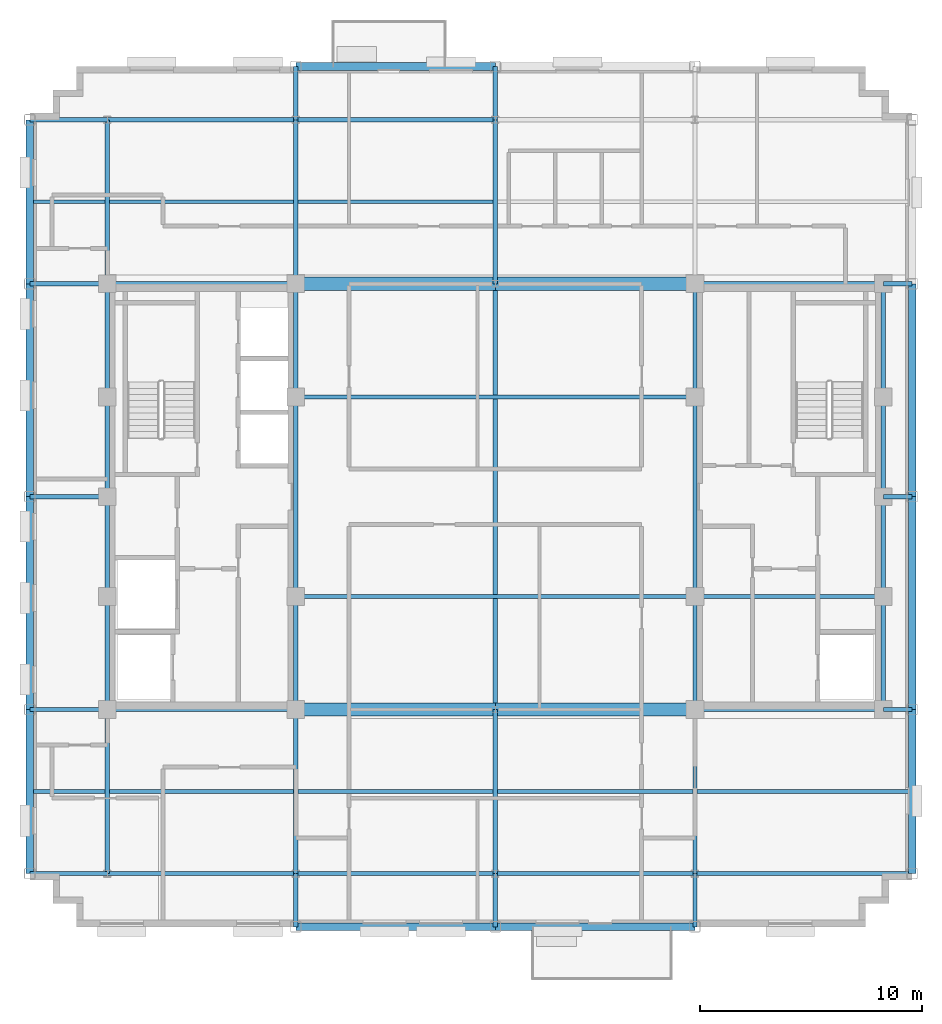
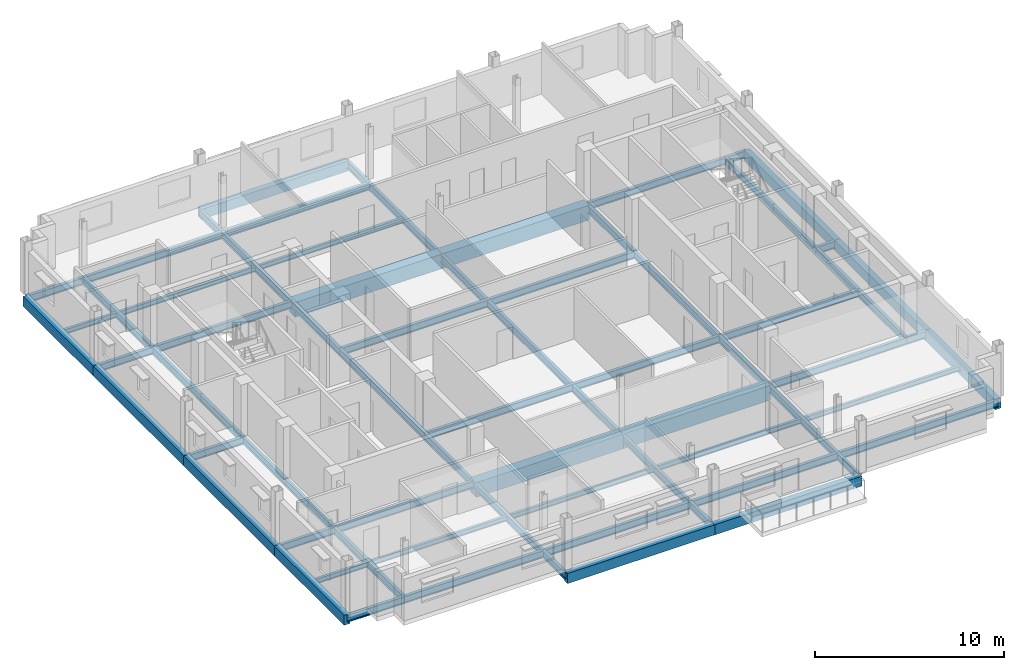
# One storey, part 4 of 13: 70 beams.
"""IFC4 building model written with IfcOpenShell, lengths in metres."""

import ifcopenshell
import ifcopenshell.guid

model = None  # the IFC model being written
_history = None  # IfcOwnerHistory: only IFC2X3 demands one
_inside = {}  # id of a spatial element -> (the spatial element, [elements in it])
_under = {}  # id of a project, library or spatial element -> (it, [spatial elements below it])
_declared = {}  # id of a project -> (the project, [libraries it declares])
_typed = {}  # id of a type object -> (the type object, [elements of that type])
_made_of = {}  # id of a material, layer set ... -> (it, [elements and type objects made of it])


def new_model(schema):
    """Start an empty IFC model of exactly this schema.

    Asked for "IFC4X3", IfcOpenShell would pick the latest addendum, in which some entities
    have other attributes; the version numbers below select the first issue.
    IFC2X3 requires an IfcOwnerHistory on every rooted entity: one is made here for all.
    """
    global model, _history
    if schema == "IFC4X3":
        model = ifcopenshell.file(schema_version=(4, 3, 0, 0))
    else:
        model = ifcopenshell.file(schema=schema)
    _inside.clear()
    _under.clear()
    _declared.clear()
    _typed.clear()
    _made_of.clear()
    _history = None
    if model.schema == "IFC2X3":
        org = make("IfcOrganization", Name="unknown")
        user = make(
            "IfcPersonAndOrganization",
            ThePerson=make("IfcPerson", FamilyName="unknown"),
            TheOrganization=org,
        )
        app = make(
            "IfcApplication",
            ApplicationDeveloper=org,
            Version="unknown",
            ApplicationFullName="unknown",
            ApplicationIdentifier="unknown",
        )
        _history = make(
            "IfcOwnerHistory",
            OwningUser=user,
            OwningApplication=app,
            ChangeAction="ADDED",
            CreationDate=0,
        )
    return model


def make(cls, **values):
    """One entity of the class cls with the attributes given. An attribute that is None is left unset."""
    return model.create_entity(
        cls, **{name: value for name, value in values.items() if value is not None}
    )


def rooted(cls, **values):
    """An entity with a GlobalId (a new one), such as an element, a storey or a relation."""
    return make(cls, GlobalId=ifcopenshell.guid.new(), OwnerHistory=_history, **values)


def si_unit(unit_type, name, prefix=None):
    """IfcSIUnit, for example si_unit("LENGTHUNIT", "METRE", prefix="MILLI")."""
    return make("IfcSIUnit", UnitType=unit_type, Prefix=prefix, Name=name)


def assignment(units):
    """IfcUnitAssignment: the units of a project."""
    return None if units is None else make("IfcUnitAssignment", Units=units)


def point(xyz):
    """IfcCartesianPoint."""
    return None if xyz is None else make("IfcCartesianPoint", Coordinates=xyz)


def direction(xyz):
    """IfcDirection."""
    return None if xyz is None else make("IfcDirection", DirectionRatios=xyz)


def frame(location, z_axis=None, x_axis=None):
    """IfcAxis2Placement3D, a coordinate frame: its origin and axes. An axis left out is left unset."""
    return make(
        "IfcAxis2Placement3D",
        Location=point(location),
        Axis=direction(z_axis),
        RefDirection=direction(x_axis),
    )


def frame_2d(location, x_axis=None):
    """IfcAxis2Placement2D, a coordinate frame in the plane: its origin and x axis."""
    return make(
        "IfcAxis2Placement2D", Location=point(location), RefDirection=direction(x_axis)
    )


def origin():
    """The frame at (0, 0, 0) with its axes left unset."""
    return frame((0.0, 0.0, 0.0))


def origin_2d():
    """The frame at (0, 0) in the plane with its x axis left unset."""
    return frame_2d((0.0, 0.0))


def place(relative_to, where):
    """IfcLocalPlacement: puts the frame where relative to a parent placement (None: the world)."""
    return make(
        "IfcLocalPlacement", PlacementRelTo=relative_to, RelativePlacement=where
    )


def context(
    kind, dimensions, precision=None, world=None, true_north=None, identifier=None
):
    """IfcGeometricRepresentationContext, for example the 3D "Model" context."""
    return make(
        "IfcGeometricRepresentationContext",
        ContextIdentifier=identifier,
        ContextType=kind,
        CoordinateSpaceDimension=dimensions,
        Precision=precision,
        WorldCoordinateSystem=world,
        TrueNorth=true_north,
    )


def subcontext(parent, identifier, kind, view, scale=None):
    """IfcGeometricRepresentationSubContext, for example "Body" below "Model"."""
    return make(
        "IfcGeometricRepresentationSubContext",
        ContextIdentifier=identifier,
        ContextType=kind,
        ParentContext=parent,
        TargetScale=scale,
        TargetView=view,
    )


def project(units=None, contexts=None):
    """IfcProject with its units and contexts."""
    return rooted(
        "IfcProject",
        Name="project",
        RepresentationContexts=contexts,
        UnitsInContext=assignment(units),
    )


def spatial(cls, under=None, at=None, **own):
    """A site, building, storey or space (cls), placed at a placement, below another one or the project."""
    s = rooted(cls, ObjectPlacement=at, **own)
    if under is not None:
        _under.setdefault(under.id(), (under, []))[1].append(s)
    return s


def profile(cls, at=None, kind="AREA", **sizes):
    """A parametric profile (cls). Its sizes go by their IFC names, for example OverallWidth=200.0."""
    return make(cls, ProfileType=kind, Position=at, **sizes)


def rectangle(**sizes):
    """IfcRectangleProfileDef."""
    return profile("IfcRectangleProfileDef", **sizes)


def i_section(**sizes):
    """IfcIShapeProfileDef."""
    return profile("IfcIShapeProfileDef", **sizes)


def extrude(swept, where, along, depth):
    """IfcExtrudedAreaSolid: the profile swept, set in the frame where, extruded along a direction by depth."""
    return make(
        "IfcExtrudedAreaSolid",
        SweptArea=swept,
        Position=where,
        ExtrudedDirection=direction(along),
        Depth=depth,
    )


def shape(context_of_items, identifier, shape_type, items):
    """IfcShapeRepresentation: the items that make up one representation, for example the "Body"."""
    return make(
        "IfcShapeRepresentation",
        ContextOfItems=context_of_items,
        RepresentationIdentifier=identifier,
        RepresentationType=shape_type,
        Items=items,
    )


def material(Name=None, Category=None):
    """IfcMaterial."""
    return make("IfcMaterial", Name=Name, Category=Category)


def material_profile(
    of_material, cross_section, Name=None, Category=None, Priority=None
):
    """IfcMaterialProfile: a cross section and its material."""
    return make(
        "IfcMaterialProfile",
        Name=Name,
        Material=of_material,
        Profile=cross_section,
        Priority=Priority,
        Category=Category,
    )


def profile_set(profiles, Name=None, composite=None):
    """IfcMaterialProfileSet."""
    return make(
        "IfcMaterialProfileSet",
        Name=Name,
        MaterialProfiles=profiles,
        CompositeProfile=composite,
    )


def made_of(thing, what):
    """Note that an element or type object is made of a material, layer set ...; save() writes the relation."""
    if what is not None:
        _made_of.setdefault(what.id(), (what, []))[1].append(thing)
    return thing


def type_object(cls, material=None, **own):
    """A type object (cls), such as IfcWallType, which elements share."""
    return made_of(rooted(cls, **own), material)


def element(
    cls,
    number,
    at=None,
    inside=None,
    cuts=None,
    type_object=None,
    material=None,
    context=None,
    identifier="Body",
    shape_type=None,
    held_by="IfcProductDefinitionShape",
    body=None,
    shapes=None,
    **own,
):
    """One element of the class cls, such as IfcWall. Its Tag is "e" and its number.

    at: its placement. inside: the storey or other place that contains it. cuts: it is an
    opening in that element (IfcRelVoidsElement). A single representation is given by context,
    identifier, shape_type and body (its items); several are given by shapes. held_by: the class
    of the entity that holds the representations. save() writes the other relations.
    """
    e = rooted(cls, Tag="e%d" % number, ObjectPlacement=at, **own)
    if body is not None:
        shapes = [shape(context, identifier, shape_type, body)]
    if shapes is not None:
        e.Representation = make(held_by, Representations=shapes)
    if inside is not None:
        _inside.setdefault(inside.id(), (inside, []))[1].append(e)
    if cuts is not None:
        rooted(
            "IfcRelVoidsElement", RelatingBuildingElement=cuts, RelatedOpeningElement=e
        )
    if type_object is not None:
        _typed.setdefault(type_object.id(), (type_object, []))[1].append(e)
    return made_of(e, material)


def aggregate(whole, parts):
    """IfcRelAggregates: a whole, such as a stair, and the parts it consists of."""
    return rooted("IfcRelAggregates", RelatingObject=whole, RelatedObjects=parts)


def save(model, path):
    """Write the relations noted so far, then the file.

    IfcRelAggregates (storeys below a building ...), IfcRelContainedInSpatialStructure (elements
    in a storey), IfcRelDefinesByType, IfcRelAssociatesMaterial and IfcRelDeclares: one each for
    every whole, place, type object, material and project.
    """
    for whole, parts in _under.values():
        aggregate(whole, parts)
    for where, things in _inside.values():
        rooted(
            "IfcRelContainedInSpatialStructure",
            RelatedElements=things,
            RelatingStructure=where,
        )
    for kind, things in _typed.values():
        rooted("IfcRelDefinesByType", RelatedObjects=things, RelatingType=kind)
    for what, things in _made_of.values():
        rooted("IfcRelAssociatesMaterial", RelatedObjects=things, RelatingMaterial=what)
    for by, libraries in _declared.values():
        rooted("IfcRelDeclares", RelatingContext=by, RelatedDefinitions=libraries)
    model.write(path)


model = new_model("IFC4")

# Units and contexts
model_context = context("Model", 3, precision=1e-05, world=origin(), true_north=direction((0.0, 1.0)))
body_context = subcontext(model_context, "Body", "Model", "MODEL_VIEW")
ifc_project = project(units=[si_unit("LENGTHUNIT", "METRE"), si_unit("AREAUNIT", "SQUARE_METRE"), si_unit("VOLUMEUNIT", "CUBIC_METRE"), si_unit("PLANEANGLEUNIT", "RADIAN"), si_unit("MASSUNIT", "GRAM", prefix="KILO")], contexts=[model_context])

# Site, building, storey
site_placement = place(None, origin())
site = spatial("IfcSite", under=ifc_project, at=site_placement, CompositionType="ELEMENT")
building_placement = place(site_placement, origin())
building = spatial("IfcBuilding", under=site, at=building_placement, Name="Nuvemarco Arch Tower", CompositionType="ELEMENT")
storey_placement = place(building_placement, frame((0.0, 0.0, 279.85009765625)))
storey = spatial("IfcBuildingStorey", under=building, at=storey_placement, Name="L74", CompositionType="ELEMENT", Elevation=279.85009765625)

# Beams
ifc_material_1 = material(Name="Concrete C60/75", Category="concrete")
ifc_material_profile_1 = material_profile(ifc_material_1, rectangle(XDim=0.60009765625, YDim=0.949951171875, at=origin_2d()), Name="RC-BM-600x950")
ifc_profile_set_1 = profile_set([ifc_material_profile_1], Name="Concrete C60/75")
beam_type_1 = type_object("IfcBeamType", Name="BM-COUP-RC", PredefinedType="LINTEL", material=ifc_profile_set_1)
for number, where, z_axis, x_axis, name in (
    (1, (-9.0, -9.60009765625, -0.755126953125), (1.0, 0.0, 0.0), (0.0, 1.0, 0.0), "L74 structural beam BGEW_L74_0_-9.6_-9.0"),
    (2, (0.0, -9.60009765625, -0.755126953125), (1.0, 0.0, 0.0), (0.0, 1.0, 0.0), "L74 structural beam BGEW_L74_0_-9.6_+0.0"),
    (3, (-9.0, 9.60009765625, -0.755126953125), (1.0, 0.0, 0.0), (0.0, 1.0, 0.0), "L74 structural beam BGEW_L74_0_+9.6_-9.0"),
    (4, (0.0, 9.60009765625, -0.755126953125), (1.0, 0.0, 0.0), (0.0, 1.0, 0.0), "L74 structural beam BGEW_L74_0_+9.6_+0.0"),
):
    element("IfcBeam", number, at=place(storey_placement, frame(where, z_axis=z_axis, x_axis=x_axis)), inside=storey, type_object=beam_type_1, Name=name, PredefinedType="LINTEL", context=body_context, shape_type="SweptSolid", body=[
        extrude(rectangle(XDim=0.60009765625, YDim=0.949951171875, at=origin_2d()), origin(), (0.0, 0.0, 1.0), 9.0),
    ])
ifc_material_2 = material(Name="Steel S355", Category="steel")
ifc_material_profile_2 = material_profile(ifc_material_2, i_section(OverallWidth=0.19189453125, OverallDepth=0.462890625, WebThickness=0.010498046875, FlangeThickness=0.017578125, FilletRadius=0.014892578125, at=origin_2d()), Name="W460x89")
ifc_profile_set_2 = profile_set([ifc_material_profile_2], Name="Steel S355")
beam_type_2 = type_object("IfcBeamType", Name="BM-GIRD-460", PredefinedType="BEAM", material=ifc_profile_set_2)
beam_1_placement = place(storey_placement, frame((-17.5, -17.0, -0.51171875), z_axis=(0.0, 1.0, 0.0), x_axis=(-1.0, 0.0, 0.0)))
element("IfcBeam", 5, at=beam_1_placement, inside=storey, type_object=beam_type_2, Name="L74 structural beam BGNS_L74_0_-17.5_-17.0", PredefinedType="BEAM", context=body_context, shape_type="SweptSolid", body=[
    extrude(i_section(OverallWidth=0.19189453125, OverallDepth=0.462890625, WebThickness=0.010498046875, FlangeThickness=0.017578125, FilletRadius=0.014892578125, at=origin_2d()), origin(), (0.0, 0.0, 1.0), 7.39990234375),
])
beam_2_placement = place(storey_placement, frame((-17.5, -9.60009765625, -0.51171875), z_axis=(0.0, 1.0, 0.0), x_axis=(-1.0, 0.0, 0.0)))
element("IfcBeam", 6, at=beam_2_placement, inside=storey, type_object=beam_type_2, Name="L74 structural beam BGNS_L74_0_-17.5_-9.6", PredefinedType="BEAM", context=body_context, shape_type="SweptSolid", body=[
    extrude(i_section(OverallWidth=0.19189453125, OverallDepth=0.462890625, WebThickness=0.010498046875, FlangeThickness=0.017578125, FilletRadius=0.014892578125, at=origin_2d()), origin(), (0.0, 0.0, 1.0), 5.10009765625),
])
for number, where, z_axis, x_axis, name in (
    (7, (-17.5, -4.5, -0.51171875), (0.0, 1.0, 0.0), (-1.0, 0.0, 0.0), "L74 structural beam BGNS_L74_0_-17.5_-4.5"),
    (8, (-17.5, 0.0, -0.51171875), (0.0, 1.0, 0.0), (-1.0, 0.0, 0.0), "L74 structural beam BGNS_L74_0_-17.5_+0.0"),
):
    element("IfcBeam", number, at=place(storey_placement, frame(where, z_axis=z_axis, x_axis=x_axis)), inside=storey, type_object=beam_type_2, Name=name, PredefinedType="BEAM", context=body_context, shape_type="SweptSolid", body=[
        extrude(i_section(OverallWidth=0.19189453125, OverallDepth=0.462890625, WebThickness=0.010498046875, FlangeThickness=0.017578125, FilletRadius=0.014892578125, at=origin_2d()), origin(), (0.0, 0.0, 1.0), 4.5),
    ])
beam_3_placement = place(storey_placement, frame((-17.5, 4.5, -0.51171875), z_axis=(0.0, 1.0, 0.0), x_axis=(-1.0, 0.0, 0.0)))
element("IfcBeam", 9, at=beam_3_placement, inside=storey, type_object=beam_type_2, Name="L74 structural beam BGNS_L74_0_-17.5_+4.5", PredefinedType="BEAM", context=body_context, shape_type="SweptSolid", body=[
    extrude(i_section(OverallWidth=0.19189453125, OverallDepth=0.462890625, WebThickness=0.010498046875, FlangeThickness=0.017578125, FilletRadius=0.014892578125, at=origin_2d()), origin(), (0.0, 0.0, 1.0), 5.10009765625),
])
beam_4_placement = place(storey_placement, frame((-17.5, 9.60009765625, -0.51171875), z_axis=(0.0, 1.0, 0.0), x_axis=(-1.0, 0.0, 0.0)))
element("IfcBeam", 10, at=beam_4_placement, inside=storey, type_object=beam_type_2, Name="L74 structural beam BGNS_L74_0_-17.5_+9.6", PredefinedType="BEAM", context=body_context, shape_type="SweptSolid", body=[
    extrude(i_section(OverallWidth=0.19189453125, OverallDepth=0.462890625, WebThickness=0.010498046875, FlangeThickness=0.017578125, FilletRadius=0.014892578125, at=origin_2d()), origin(), (0.0, 0.0, 1.0), 7.39990234375),
])
beam_5_placement = place(storey_placement, frame((-9.0, -19.39990234375, -0.51171875), z_axis=(0.0, 1.0, 0.0), x_axis=(-1.0, 0.0, 0.0)))
element("IfcBeam", 11, at=beam_5_placement, inside=storey, type_object=beam_type_2, Name="L74 structural beam BGNS_L74_0_-9.0_-19.4", PredefinedType="BEAM", context=body_context, shape_type="SweptSolid", body=[
    extrude(i_section(OverallWidth=0.19189453125, OverallDepth=0.462890625, WebThickness=0.010498046875, FlangeThickness=0.017578125, FilletRadius=0.014892578125, at=origin_2d()), origin(), (0.0, 0.0, 1.0), 2.39990234375),
])
beam_6_placement = place(storey_placement, frame((-9.0, -17.0, -0.51171875), z_axis=(0.0, 1.0, 0.0), x_axis=(-1.0, 0.0, 0.0)))
element("IfcBeam", 12, at=beam_6_placement, inside=storey, type_object=beam_type_2, Name="L74 structural beam BGNS_L74_0_-9.0_-17.0", PredefinedType="BEAM", context=body_context, shape_type="SweptSolid", body=[
    extrude(i_section(OverallWidth=0.19189453125, OverallDepth=0.462890625, WebThickness=0.010498046875, FlangeThickness=0.017578125, FilletRadius=0.014892578125, at=origin_2d()), origin(), (0.0, 0.0, 1.0), 7.39990234375),
])
beam_7_placement = place(storey_placement, frame((-9.0, -9.60009765625, -0.51171875), z_axis=(0.0, 1.0, 0.0), x_axis=(-1.0, 0.0, 0.0)))
element("IfcBeam", 13, at=beam_7_placement, inside=storey, type_object=beam_type_2, Name="L74 structural beam BGNS_L74_0_-9.0_-9.6", PredefinedType="BEAM", context=body_context, shape_type="SweptSolid", body=[
    extrude(i_section(OverallWidth=0.19189453125, OverallDepth=0.462890625, WebThickness=0.010498046875, FlangeThickness=0.017578125, FilletRadius=0.014892578125, at=origin_2d()), origin(), (0.0, 0.0, 1.0), 5.10009765625),
])
beam_8_placement = place(storey_placement, frame((-9.0, -4.5, -0.51171875), z_axis=(0.0, 1.0, 0.0), x_axis=(-1.0, 0.0, 0.0)))
element("IfcBeam", 14, at=beam_8_placement, inside=storey, type_object=beam_type_2, Name="L74 structural beam BGNS_L74_0_-9.0_-4.5", PredefinedType="BEAM", context=body_context, shape_type="SweptSolid", body=[
    extrude(i_section(OverallWidth=0.19189453125, OverallDepth=0.462890625, WebThickness=0.010498046875, FlangeThickness=0.017578125, FilletRadius=0.014892578125, at=origin_2d()), origin(), (0.0, 0.0, 1.0), 9.0),
])
beam_9_placement = place(storey_placement, frame((-9.0, 4.5, -0.51171875), z_axis=(0.0, 1.0, 0.0), x_axis=(-1.0, 0.0, 0.0)))
element("IfcBeam", 15, at=beam_9_placement, inside=storey, type_object=beam_type_2, Name="L74 structural beam BGNS_L74_0_-9.0_+4.5", PredefinedType="BEAM", context=body_context, shape_type="SweptSolid", body=[
    extrude(i_section(OverallWidth=0.19189453125, OverallDepth=0.462890625, WebThickness=0.010498046875, FlangeThickness=0.017578125, FilletRadius=0.014892578125, at=origin_2d()), origin(), (0.0, 0.0, 1.0), 5.10009765625),
])
beam_10_placement = place(storey_placement, frame((-9.0, 9.60009765625, -0.51171875), z_axis=(0.0, 1.0, 0.0), x_axis=(-1.0, 0.0, 0.0)))
element("IfcBeam", 16, at=beam_10_placement, inside=storey, type_object=beam_type_2, Name="L74 structural beam BGNS_L74_0_-9.0_+9.6", PredefinedType="BEAM", context=body_context, shape_type="SweptSolid", body=[
    extrude(i_section(OverallWidth=0.19189453125, OverallDepth=0.462890625, WebThickness=0.010498046875, FlangeThickness=0.017578125, FilletRadius=0.014892578125, at=origin_2d()), origin(), (0.0, 0.0, 1.0), 7.39990234375),
])
for number, where, z_axis, x_axis, name in (
    (17, (-9.0, 17.0, -0.51171875), (0.0, 1.0, 0.0), (-1.0, 0.0, 0.0), "L74 structural beam BGNS_L74_0_-9.0_+17.0"),
    (18, (0.0, -19.39990234375, -0.51171875), (0.0, 1.0, 0.0), (-1.0, 0.0, 0.0), "L74 structural beam BGNS_L74_0_+0.0_-19.4"),
):
    element("IfcBeam", number, at=place(storey_placement, frame(where, z_axis=z_axis, x_axis=x_axis)), inside=storey, type_object=beam_type_2, Name=name, PredefinedType="BEAM", context=body_context, shape_type="SweptSolid", body=[
        extrude(i_section(OverallWidth=0.19189453125, OverallDepth=0.462890625, WebThickness=0.010498046875, FlangeThickness=0.017578125, FilletRadius=0.014892578125, at=origin_2d()), origin(), (0.0, 0.0, 1.0), 2.39990234375),
    ])
beam_11_placement = place(storey_placement, frame((0.0, -17.0, -0.51171875), z_axis=(0.0, 1.0, 0.0), x_axis=(-1.0, 0.0, 0.0)))
element("IfcBeam", 19, at=beam_11_placement, inside=storey, type_object=beam_type_2, Name="L74 structural beam BGNS_L74_0_+0.0_-17.0", PredefinedType="BEAM", context=body_context, shape_type="SweptSolid", body=[
    extrude(i_section(OverallWidth=0.19189453125, OverallDepth=0.462890625, WebThickness=0.010498046875, FlangeThickness=0.017578125, FilletRadius=0.014892578125, at=origin_2d()), origin(), (0.0, 0.0, 1.0), 7.39990234375),
])
beam_12_placement = place(storey_placement, frame((0.0, -9.60009765625, -0.51171875), z_axis=(0.0, 1.0, 0.0), x_axis=(-1.0, 0.0, 0.0)))
element("IfcBeam", 20, at=beam_12_placement, inside=storey, type_object=beam_type_2, Name="L74 structural beam BGNS_L74_0_+0.0_-9.6", PredefinedType="BEAM", context=body_context, shape_type="SweptSolid", body=[
    extrude(i_section(OverallWidth=0.19189453125, OverallDepth=0.462890625, WebThickness=0.010498046875, FlangeThickness=0.017578125, FilletRadius=0.014892578125, at=origin_2d()), origin(), (0.0, 0.0, 1.0), 19.2001953125),
])
beam_13_placement = place(storey_placement, frame((0.0, 9.60009765625, -0.51171875), z_axis=(0.0, 1.0, 0.0), x_axis=(-1.0, 0.0, 0.0)))
element("IfcBeam", 21, at=beam_13_placement, inside=storey, type_object=beam_type_2, Name="L74 structural beam BGNS_L74_0_+0.0_+9.6", PredefinedType="BEAM", context=body_context, shape_type="SweptSolid", body=[
    extrude(i_section(OverallWidth=0.19189453125, OverallDepth=0.462890625, WebThickness=0.010498046875, FlangeThickness=0.017578125, FilletRadius=0.014892578125, at=origin_2d()), origin(), (0.0, 0.0, 1.0), 7.39990234375),
])
for number, where, z_axis, x_axis, name in (
    (22, (0.0, 17.0, -0.51171875), (0.0, 1.0, 0.0), (-1.0, 0.0, 0.0), "L74 structural beam BGNS_L74_0_+0.0_+17.0"),
    (23, (9.0, -19.39990234375, -0.51171875), (0.0, 1.0, 0.0), (-1.0, 0.0, 0.0), "L74 structural beam BGNS_L74_0_+9.0_-19.4"),
):
    element("IfcBeam", number, at=place(storey_placement, frame(where, z_axis=z_axis, x_axis=x_axis)), inside=storey, type_object=beam_type_2, Name=name, PredefinedType="BEAM", context=body_context, shape_type="SweptSolid", body=[
        extrude(i_section(OverallWidth=0.19189453125, OverallDepth=0.462890625, WebThickness=0.010498046875, FlangeThickness=0.017578125, FilletRadius=0.014892578125, at=origin_2d()), origin(), (0.0, 0.0, 1.0), 2.39990234375),
    ])
beam_14_placement = place(storey_placement, frame((9.0, -17.0, -0.51171875), z_axis=(0.0, 1.0, 0.0), x_axis=(-1.0, 0.0, 0.0)))
element("IfcBeam", 24, at=beam_14_placement, inside=storey, type_object=beam_type_2, Name="L74 structural beam BGNS_L74_0_+9.0_-17.0", PredefinedType="BEAM", context=body_context, shape_type="SweptSolid", body=[
    extrude(i_section(OverallWidth=0.19189453125, OverallDepth=0.462890625, WebThickness=0.010498046875, FlangeThickness=0.017578125, FilletRadius=0.014892578125, at=origin_2d()), origin(), (0.0, 0.0, 1.0), 7.39990234375),
])
beam_15_placement = place(storey_placement, frame((9.0, -9.60009765625, -0.51171875), z_axis=(0.0, 1.0, 0.0), x_axis=(-1.0, 0.0, 0.0)))
element("IfcBeam", 25, at=beam_15_placement, inside=storey, type_object=beam_type_2, Name="L74 structural beam BGNS_L74_0_+9.0_-9.6", PredefinedType="BEAM", context=body_context, shape_type="SweptSolid", body=[
    extrude(i_section(OverallWidth=0.19189453125, OverallDepth=0.462890625, WebThickness=0.010498046875, FlangeThickness=0.017578125, FilletRadius=0.014892578125, at=origin_2d()), origin(), (0.0, 0.0, 1.0), 5.10009765625),
])
beam_16_placement = place(storey_placement, frame((9.0, -4.5, -0.51171875), z_axis=(0.0, 1.0, 0.0), x_axis=(-1.0, 0.0, 0.0)))
element("IfcBeam", 26, at=beam_16_placement, inside=storey, type_object=beam_type_2, Name="L74 structural beam BGNS_L74_0_+9.0_-4.5", PredefinedType="BEAM", context=body_context, shape_type="SweptSolid", body=[
    extrude(i_section(OverallWidth=0.19189453125, OverallDepth=0.462890625, WebThickness=0.010498046875, FlangeThickness=0.017578125, FilletRadius=0.014892578125, at=origin_2d()), origin(), (0.0, 0.0, 1.0), 9.0),
])
for number, where, z_axis, x_axis, name in (
    (27, (9.0, 4.5, -0.51171875), (0.0, 1.0, 0.0), (-1.0, 0.0, 0.0), "L74 structural beam BGNS_L74_0_+9.0_+4.5"),
    (28, (17.5, -9.60009765625, -0.51171875), (0.0, 1.0, 0.0), (-1.0, 0.0, 0.0), "L74 structural beam BGNS_L74_0_+17.5_-9.6"),
):
    element("IfcBeam", number, at=place(storey_placement, frame(where, z_axis=z_axis, x_axis=x_axis)), inside=storey, type_object=beam_type_2, Name=name, PredefinedType="BEAM", context=body_context, shape_type="SweptSolid", body=[
        extrude(i_section(OverallWidth=0.19189453125, OverallDepth=0.462890625, WebThickness=0.010498046875, FlangeThickness=0.017578125, FilletRadius=0.014892578125, at=origin_2d()), origin(), (0.0, 0.0, 1.0), 5.10009765625),
    ])
for number, where, z_axis, x_axis, name in (
    (29, (17.5, -4.5, -0.51171875), (0.0, 1.0, 0.0), (-1.0, 0.0, 0.0), "L74 structural beam BGNS_L74_0_+17.5_-4.5"),
    (30, (17.5, 0.0, -0.51171875), (0.0, 1.0, 0.0), (-1.0, 0.0, 0.0), "L74 structural beam BGNS_L74_0_+17.5_+0.0"),
):
    element("IfcBeam", number, at=place(storey_placement, frame(where, z_axis=z_axis, x_axis=x_axis)), inside=storey, type_object=beam_type_2, Name=name, PredefinedType="BEAM", context=body_context, shape_type="SweptSolid", body=[
        extrude(i_section(OverallWidth=0.19189453125, OverallDepth=0.462890625, WebThickness=0.010498046875, FlangeThickness=0.017578125, FilletRadius=0.014892578125, at=origin_2d()), origin(), (0.0, 0.0, 1.0), 4.5),
    ])
beam_17_placement = place(storey_placement, frame((17.5, 4.5, -0.51171875), z_axis=(0.0, 1.0, 0.0), x_axis=(-1.0, 0.0, 0.0)))
element("IfcBeam", 31, at=beam_17_placement, inside=storey, type_object=beam_type_2, Name="L74 structural beam BGNS_L74_0_+17.5_+4.5", PredefinedType="BEAM", context=body_context, shape_type="SweptSolid", body=[
    extrude(i_section(OverallWidth=0.19189453125, OverallDepth=0.462890625, WebThickness=0.010498046875, FlangeThickness=0.017578125, FilletRadius=0.014892578125, at=origin_2d()), origin(), (0.0, 0.0, 1.0), 5.10009765625),
])
beam_18_placement = place(storey_placement, frame((-21.0, -17.0, -0.51171875), z_axis=(1.0, 0.0, 0.0), x_axis=(0.0, 1.0, 0.0)))
element("IfcBeam", 32, at=beam_18_placement, inside=storey, type_object=beam_type_2, Name="L74 structural beam BGEW_L74_0_-17.0_-21.0", PredefinedType="BEAM", context=body_context, shape_type="SweptSolid", body=[
    extrude(i_section(OverallWidth=0.19189453125, OverallDepth=0.462890625, WebThickness=0.010498046875, FlangeThickness=0.017578125, FilletRadius=0.014892578125, at=origin_2d()), origin(), (0.0, 0.0, 1.0), 3.5),
])
beam_19_placement = place(storey_placement, frame((-17.5, -17.0, -0.51171875), z_axis=(1.0, 0.0, 0.0), x_axis=(0.0, 1.0, 0.0)))
element("IfcBeam", 33, at=beam_19_placement, inside=storey, type_object=beam_type_2, Name="L74 structural beam BGEW_L74_0_-17.0_-17.5", PredefinedType="BEAM", context=body_context, shape_type="SweptSolid", body=[
    extrude(i_section(OverallWidth=0.19189453125, OverallDepth=0.462890625, WebThickness=0.010498046875, FlangeThickness=0.017578125, FilletRadius=0.014892578125, at=origin_2d()), origin(), (0.0, 0.0, 1.0), 8.5),
])
for number, where, z_axis, x_axis, name in (
    (34, (-9.0, -17.0, -0.51171875), (1.0, 0.0, 0.0), (0.0, 1.0, 0.0), "L74 structural beam BGEW_L74_0_-17.0_-9.0"),
    (35, (0.0, -17.0, -0.51171875), (1.0, 0.0, 0.0), (0.0, 1.0, 0.0), "L74 structural beam BGEW_L74_0_-17.0_+0.0"),
):
    element("IfcBeam", number, at=place(storey_placement, frame(where, z_axis=z_axis, x_axis=x_axis)), inside=storey, type_object=beam_type_2, Name=name, PredefinedType="BEAM", context=body_context, shape_type="SweptSolid", body=[
        extrude(i_section(OverallWidth=0.19189453125, OverallDepth=0.462890625, WebThickness=0.010498046875, FlangeThickness=0.017578125, FilletRadius=0.014892578125, at=origin_2d()), origin(), (0.0, 0.0, 1.0), 9.0),
    ])
beam_20_placement = place(storey_placement, frame((9.0, -17.0, -0.51171875), z_axis=(1.0, 0.0, 0.0), x_axis=(0.0, 1.0, 0.0)))
element("IfcBeam", 36, at=beam_20_placement, inside=storey, type_object=beam_type_2, Name="L74 structural beam BGEW_L74_0_-17.0_+9.0", PredefinedType="BEAM", context=body_context, shape_type="SweptSolid", body=[
    extrude(i_section(OverallWidth=0.19189453125, OverallDepth=0.462890625, WebThickness=0.010498046875, FlangeThickness=0.017578125, FilletRadius=0.014892578125, at=origin_2d()), origin(), (0.0, 0.0, 1.0), 9.800048828125),
])
beam_21_placement = place(storey_placement, frame((-21.0, -9.60009765625, -0.51171875), z_axis=(1.0, 0.0, 0.0), x_axis=(0.0, 1.0, 0.0)))
element("IfcBeam", 37, at=beam_21_placement, inside=storey, type_object=beam_type_2, Name="L74 structural beam BGEW_L74_0_-9.6_-21.0", PredefinedType="BEAM", context=body_context, shape_type="SweptSolid", body=[
    extrude(i_section(OverallWidth=0.19189453125, OverallDepth=0.462890625, WebThickness=0.010498046875, FlangeThickness=0.017578125, FilletRadius=0.014892578125, at=origin_2d()), origin(), (0.0, 0.0, 1.0), 3.5),
])
for number, where, z_axis, x_axis, name in (
    (38, (-17.5, -9.60009765625, -0.51171875), (1.0, 0.0, 0.0), (0.0, 1.0, 0.0), "L74 structural beam BGEW_L74_0_-9.6_-17.5"),
    (39, (9.0, -9.60009765625, -0.51171875), (1.0, 0.0, 0.0), (0.0, 1.0, 0.0), "L74 structural beam BGEW_L74_0_-9.6_+9.0"),
):
    element("IfcBeam", number, at=place(storey_placement, frame(where, z_axis=z_axis, x_axis=x_axis)), inside=storey, type_object=beam_type_2, Name=name, PredefinedType="BEAM", context=body_context, shape_type="SweptSolid", body=[
        extrude(i_section(OverallWidth=0.19189453125, OverallDepth=0.462890625, WebThickness=0.010498046875, FlangeThickness=0.017578125, FilletRadius=0.014892578125, at=origin_2d()), origin(), (0.0, 0.0, 1.0), 8.5),
    ])
beam_22_placement = place(storey_placement, frame((17.5, -9.60009765625, -0.51171875), z_axis=(1.0, 0.0, 0.0), x_axis=(0.0, 1.0, 0.0)))
element("IfcBeam", 40, at=beam_22_placement, inside=storey, type_object=beam_type_2, Name="L74 structural beam BGEW_L74_0_-9.6_+17.5", PredefinedType="BEAM", context=body_context, shape_type="SweptSolid", body=[
    extrude(i_section(OverallWidth=0.19189453125, OverallDepth=0.462890625, WebThickness=0.010498046875, FlangeThickness=0.017578125, FilletRadius=0.014892578125, at=origin_2d()), origin(), (0.0, 0.0, 1.0), 1.300048828125),
])
beam_23_placement = place(storey_placement, frame((-9.0, -4.5, -0.51171875), z_axis=(1.0, 0.0, 0.0), x_axis=(0.0, 1.0, 0.0)))
element("IfcBeam", 41, at=beam_23_placement, inside=storey, type_object=beam_type_2, Name="L74 structural beam BGEW_L74_0_-4.5_-9.0", PredefinedType="BEAM", context=body_context, shape_type="SweptSolid", body=[
    extrude(i_section(OverallWidth=0.19189453125, OverallDepth=0.462890625, WebThickness=0.010498046875, FlangeThickness=0.017578125, FilletRadius=0.014892578125, at=origin_2d()), origin(), (0.0, 0.0, 1.0), 18.0),
])
beam_24_placement = place(storey_placement, frame((9.0, -4.5, -0.51171875), z_axis=(1.0, 0.0, 0.0), x_axis=(0.0, 1.0, 0.0)))
element("IfcBeam", 42, at=beam_24_placement, inside=storey, type_object=beam_type_2, Name="L74 structural beam BGEW_L74_0_-4.5_+9.0", PredefinedType="BEAM", context=body_context, shape_type="SweptSolid", body=[
    extrude(i_section(OverallWidth=0.19189453125, OverallDepth=0.462890625, WebThickness=0.010498046875, FlangeThickness=0.017578125, FilletRadius=0.014892578125, at=origin_2d()), origin(), (0.0, 0.0, 1.0), 8.5),
])
beam_25_placement = place(storey_placement, frame((-21.0, 0.0, -0.51171875), z_axis=(1.0, 0.0, 0.0), x_axis=(0.0, 1.0, 0.0)))
element("IfcBeam", 43, at=beam_25_placement, inside=storey, type_object=beam_type_2, Name="L74 structural beam BGEW_L74_0_+0.0_-21.0", PredefinedType="BEAM", context=body_context, shape_type="SweptSolid", body=[
    extrude(i_section(OverallWidth=0.19189453125, OverallDepth=0.462890625, WebThickness=0.010498046875, FlangeThickness=0.017578125, FilletRadius=0.014892578125, at=origin_2d()), origin(), (0.0, 0.0, 1.0), 3.5),
])
beam_26_placement = place(storey_placement, frame((17.5, 0.0, -0.51171875), z_axis=(1.0, 0.0, 0.0), x_axis=(0.0, 1.0, 0.0)))
element("IfcBeam", 44, at=beam_26_placement, inside=storey, type_object=beam_type_2, Name="L74 structural beam BGEW_L74_0_+0.0_+17.5", PredefinedType="BEAM", context=body_context, shape_type="SweptSolid", body=[
    extrude(i_section(OverallWidth=0.19189453125, OverallDepth=0.462890625, WebThickness=0.010498046875, FlangeThickness=0.017578125, FilletRadius=0.014892578125, at=origin_2d()), origin(), (0.0, 0.0, 1.0), 1.300048828125),
])
beam_27_placement = place(storey_placement, frame((-9.0, 4.5, -0.51171875), z_axis=(1.0, 0.0, 0.0), x_axis=(0.0, 1.0, 0.0)))
element("IfcBeam", 45, at=beam_27_placement, inside=storey, type_object=beam_type_2, Name="L74 structural beam BGEW_L74_0_+4.5_-9.0", PredefinedType="BEAM", context=body_context, shape_type="SweptSolid", body=[
    extrude(i_section(OverallWidth=0.19189453125, OverallDepth=0.462890625, WebThickness=0.010498046875, FlangeThickness=0.017578125, FilletRadius=0.014892578125, at=origin_2d()), origin(), (0.0, 0.0, 1.0), 18.0),
])
beam_28_placement = place(storey_placement, frame((-21.0, 9.60009765625, -0.51171875), z_axis=(1.0, 0.0, 0.0), x_axis=(0.0, 1.0, 0.0)))
element("IfcBeam", 46, at=beam_28_placement, inside=storey, type_object=beam_type_2, Name="L74 structural beam BGEW_L74_0_+9.6_-21.0", PredefinedType="BEAM", context=body_context, shape_type="SweptSolid", body=[
    extrude(i_section(OverallWidth=0.19189453125, OverallDepth=0.462890625, WebThickness=0.010498046875, FlangeThickness=0.017578125, FilletRadius=0.014892578125, at=origin_2d()), origin(), (0.0, 0.0, 1.0), 3.5),
])
for number, where, z_axis, x_axis, name in (
    (47, (-17.5, 9.60009765625, -0.51171875), (1.0, 0.0, 0.0), (0.0, 1.0, 0.0), "L74 structural beam BGEW_L74_0_+9.6_-17.5"),
    (48, (9.0, 9.60009765625, -0.51171875), (1.0, 0.0, 0.0), (0.0, 1.0, 0.0), "L74 structural beam BGEW_L74_0_+9.6_+9.0"),
):
    element("IfcBeam", number, at=place(storey_placement, frame(where, z_axis=z_axis, x_axis=x_axis)), inside=storey, type_object=beam_type_2, Name=name, PredefinedType="BEAM", context=body_context, shape_type="SweptSolid", body=[
        extrude(i_section(OverallWidth=0.19189453125, OverallDepth=0.462890625, WebThickness=0.010498046875, FlangeThickness=0.017578125, FilletRadius=0.014892578125, at=origin_2d()), origin(), (0.0, 0.0, 1.0), 8.5),
    ])
beam_29_placement = place(storey_placement, frame((17.5, 9.60009765625, -0.51171875), z_axis=(1.0, 0.0, 0.0), x_axis=(0.0, 1.0, 0.0)))
element("IfcBeam", 49, at=beam_29_placement, inside=storey, type_object=beam_type_2, Name="L74 structural beam BGEW_L74_0_+9.6_+17.5", PredefinedType="BEAM", context=body_context, shape_type="SweptSolid", body=[
    extrude(i_section(OverallWidth=0.19189453125, OverallDepth=0.462890625, WebThickness=0.010498046875, FlangeThickness=0.017578125, FilletRadius=0.014892578125, at=origin_2d()), origin(), (0.0, 0.0, 1.0), 1.300048828125),
])
beam_30_placement = place(storey_placement, frame((-21.0, 17.0, -0.51171875), z_axis=(1.0, 0.0, 0.0), x_axis=(0.0, 1.0, 0.0)))
element("IfcBeam", 50, at=beam_30_placement, inside=storey, type_object=beam_type_2, Name="L74 structural beam BGEW_L74_0_+17.0_-21.0", PredefinedType="BEAM", context=body_context, shape_type="SweptSolid", body=[
    extrude(i_section(OverallWidth=0.19189453125, OverallDepth=0.462890625, WebThickness=0.010498046875, FlangeThickness=0.017578125, FilletRadius=0.014892578125, at=origin_2d()), origin(), (0.0, 0.0, 1.0), 3.5),
])
beam_31_placement = place(storey_placement, frame((-17.5, 17.0, -0.51171875), z_axis=(1.0, 0.0, 0.0), x_axis=(0.0, 1.0, 0.0)))
element("IfcBeam", 51, at=beam_31_placement, inside=storey, type_object=beam_type_2, Name="L74 structural beam BGEW_L74_0_+17.0_-17.5", PredefinedType="BEAM", context=body_context, shape_type="SweptSolid", body=[
    extrude(i_section(OverallWidth=0.19189453125, OverallDepth=0.462890625, WebThickness=0.010498046875, FlangeThickness=0.017578125, FilletRadius=0.014892578125, at=origin_2d()), origin(), (0.0, 0.0, 1.0), 8.5),
])
beam_32_placement = place(storey_placement, frame((-9.0, 17.0, -0.51171875), z_axis=(1.0, 0.0, 0.0), x_axis=(0.0, 1.0, 0.0)))
element("IfcBeam", 52, at=beam_32_placement, inside=storey, type_object=beam_type_2, Name="L74 structural beam BGEW_L74_0_+17.0_-9.0", PredefinedType="BEAM", context=body_context, shape_type="SweptSolid", body=[
    extrude(i_section(OverallWidth=0.19189453125, OverallDepth=0.462890625, WebThickness=0.010498046875, FlangeThickness=0.017578125, FilletRadius=0.014892578125, at=origin_2d()), origin(), (0.0, 0.0, 1.0), 9.0),
])
ifc_material_profile_3 = material_profile(ifc_material_2, i_section(OverallWidth=0.1669921875, OverallDepth=0.31689453125, WebThickness=0.007568359375, FlangeThickness=0.01318359375, FilletRadius=0.010009765625, at=origin_2d()), Name="W310x52")
ifc_profile_set_3 = profile_set([ifc_material_profile_3], Name="Steel S355")
beam_type_3 = type_object("IfcBeamType", Name="BM-JOIST-310", PredefinedType="JOIST", material=ifc_profile_set_3)
beam_33_placement = place(storey_placement, frame((-20.824951171875, -13.300048828125, -0.4384765625), z_axis=(1.0, 0.0, 0.0), x_axis=(0.0, 1.0, 0.0)))
element("IfcBeam", 53, at=beam_33_placement, inside=storey, type_object=beam_type_3, Name="L74 structural beam BJ_L74_0_-13.3_-21.0", PredefinedType="JOIST", context=body_context, shape_type="SweptSolid", body=[
    extrude(i_section(OverallWidth=0.1669921875, OverallDepth=0.31689453125, WebThickness=0.007568359375, FlangeThickness=0.01318359375, FilletRadius=0.010009765625, at=origin_2d()), origin(), (0.0, 0.0, 1.0), 3.22900390625),
])
beam_34_placement = place(storey_placement, frame((-17.404052734375, -13.300048828125, -0.4384765625), z_axis=(1.0, 0.0, 0.0), x_axis=(0.0, 1.0, 0.0)))
element("IfcBeam", 54, at=beam_34_placement, inside=storey, type_object=beam_type_3, Name="L74 structural beam BJ_L74_0_-13.3_-17.5", PredefinedType="JOIST", context=body_context, shape_type="SweptSolid", body=[
    extrude(i_section(OverallWidth=0.1669921875, OverallDepth=0.31689453125, WebThickness=0.007568359375, FlangeThickness=0.01318359375, FilletRadius=0.010009765625, at=origin_2d()), origin(), (0.0, 0.0, 1.0), 8.30810546875),
])
for number, where, z_axis, x_axis, name in (
    (55, (-8.904052734375, -13.300048828125, -0.4384765625), (1.0, 0.0, 0.0), (0.0, 1.0, 0.0), "L74 structural beam BJ_L74_0_-13.3_-9.0"),
    (56, (0.095947265625, -13.300048828125, -0.4384765625), (1.0, 0.0, 0.0), (0.0, 1.0, 0.0), "L74 structural beam BJ_L74_0_-13.3_+0.0"),
):
    element("IfcBeam", number, at=place(storey_placement, frame(where, z_axis=z_axis, x_axis=x_axis)), inside=storey, type_object=beam_type_3, Name=name, PredefinedType="JOIST", context=body_context, shape_type="SweptSolid", body=[
        extrude(i_section(OverallWidth=0.1669921875, OverallDepth=0.31689453125, WebThickness=0.007568359375, FlangeThickness=0.01318359375, FilletRadius=0.010009765625, at=origin_2d()), origin(), (0.0, 0.0, 1.0), 8.80810546875),
    ])
beam_35_placement = place(storey_placement, frame((9.095947265625, -13.300048828125, -0.4384765625), z_axis=(1.0, 0.0, 0.0), x_axis=(0.0, 1.0, 0.0)))
element("IfcBeam", 57, at=beam_35_placement, inside=storey, type_object=beam_type_3, Name="L74 structural beam BJ_L74_0_-13.3_+9.0", PredefinedType="JOIST", context=body_context, shape_type="SweptSolid", body=[
    extrude(i_section(OverallWidth=0.1669921875, OverallDepth=0.31689453125, WebThickness=0.007568359375, FlangeThickness=0.01318359375, FilletRadius=0.010009765625, at=origin_2d()), origin(), (0.0, 0.0, 1.0), 9.529052734375),
])
beam_36_placement = place(storey_placement, frame((-20.824951171875, 13.300048828125, -0.4384765625), z_axis=(1.0, 0.0, 0.0), x_axis=(0.0, 1.0, 0.0)))
element("IfcBeam", 58, at=beam_36_placement, inside=storey, type_object=beam_type_3, Name="L74 structural beam BJ_L74_0_+13.3_-21.0", PredefinedType="JOIST", context=body_context, shape_type="SweptSolid", body=[
    extrude(i_section(OverallWidth=0.1669921875, OverallDepth=0.31689453125, WebThickness=0.007568359375, FlangeThickness=0.01318359375, FilletRadius=0.010009765625, at=origin_2d()), origin(), (0.0, 0.0, 1.0), 3.22900390625),
])
beam_37_placement = place(storey_placement, frame((-17.404052734375, 13.300048828125, -0.4384765625), z_axis=(1.0, 0.0, 0.0), x_axis=(0.0, 1.0, 0.0)))
element("IfcBeam", 59, at=beam_37_placement, inside=storey, type_object=beam_type_3, Name="L74 structural beam BJ_L74_0_+13.3_-17.5", PredefinedType="JOIST", context=body_context, shape_type="SweptSolid", body=[
    extrude(i_section(OverallWidth=0.1669921875, OverallDepth=0.31689453125, WebThickness=0.007568359375, FlangeThickness=0.01318359375, FilletRadius=0.010009765625, at=origin_2d()), origin(), (0.0, 0.0, 1.0), 8.30810546875),
])
beam_38_placement = place(storey_placement, frame((-8.904052734375, 13.300048828125, -0.4384765625), z_axis=(1.0, 0.0, 0.0), x_axis=(0.0, 1.0, 0.0)))
element("IfcBeam", 60, at=beam_38_placement, inside=storey, type_object=beam_type_3, Name="L74 structural beam BJ_L74_0_+13.3_-9.0", PredefinedType="JOIST", context=body_context, shape_type="SweptSolid", body=[
    extrude(i_section(OverallWidth=0.1669921875, OverallDepth=0.31689453125, WebThickness=0.007568359375, FlangeThickness=0.01318359375, FilletRadius=0.010009765625, at=origin_2d()), origin(), (0.0, 0.0, 1.0), 8.80810546875),
])
ifc_material_3 = material(Name="Precast concrete C45/55", Category="concrete")
ifc_material_profile_4 = material_profile(ifc_material_3, rectangle(XDim=0.35009765625, YDim=0.64990234375, at=origin_2d()), Name="PC-SP-350x650")
ifc_profile_set_4 = profile_set([ifc_material_profile_4], Name="Precast concrete C45/55")
beam_type_4 = type_object("IfcBeamType", Name="BM-SPAN-RC", PredefinedType="SPANDREL", material=ifc_profile_set_4)
beam_39_placement = place(storey_placement, frame((-21.0, -17.0, -0.60498046875), z_axis=(0.0, 1.0, 0.0), x_axis=(-1.0, 0.0, 0.0)))
element("IfcBeam", 61, at=beam_39_placement, inside=storey, type_object=beam_type_4, Name="L74 structural beam BGNS_L74_0_-21.0_-17.0", PredefinedType="SPANDREL", context=body_context, shape_type="SweptSolid", body=[
    extrude(rectangle(XDim=0.35009765625, YDim=0.64990234375, at=origin_2d()), origin(), (0.0, 0.0, 1.0), 7.39990234375),
])
for number, where, z_axis, x_axis, name in (
    (62, (-21.0, -9.60009765625, -0.60498046875), (0.0, 1.0, 0.0), (-1.0, 0.0, 0.0), "L74 structural beam BGNS_L74_0_-21.0_-9.6"),
    (63, (-21.0, 0.0, -0.60498046875), (0.0, 1.0, 0.0), (-1.0, 0.0, 0.0), "L74 structural beam BGNS_L74_0_-21.0_+0.0"),
):
    element("IfcBeam", number, at=place(storey_placement, frame(where, z_axis=z_axis, x_axis=x_axis)), inside=storey, type_object=beam_type_4, Name=name, PredefinedType="SPANDREL", context=body_context, shape_type="SweptSolid", body=[
        extrude(rectangle(XDim=0.35009765625, YDim=0.64990234375, at=origin_2d()), origin(), (0.0, 0.0, 1.0), 9.60009765625),
    ])
for number, where, z_axis, x_axis, name in (
    (64, (-21.0, 9.60009765625, -0.60498046875), (0.0, 1.0, 0.0), (-1.0, 0.0, 0.0), "L74 structural beam BGNS_L74_0_-21.0_+9.6"),
    (65, (18.800048828125, -17.0, -0.60498046875), (0.0, 1.0, 0.0), (-1.0, 0.0, 0.0), "L74 structural beam BGNS_L74_0_+18.8_-17.0"),
):
    element("IfcBeam", number, at=place(storey_placement, frame(where, z_axis=z_axis, x_axis=x_axis)), inside=storey, type_object=beam_type_4, Name=name, PredefinedType="SPANDREL", context=body_context, shape_type="SweptSolid", body=[
        extrude(rectangle(XDim=0.35009765625, YDim=0.64990234375, at=origin_2d()), origin(), (0.0, 0.0, 1.0), 7.39990234375),
    ])
for number, where, z_axis, x_axis, name in (
    (66, (18.800048828125, -9.60009765625, -0.60498046875), (0.0, 1.0, 0.0), (-1.0, 0.0, 0.0), "L74 structural beam BGNS_L74_0_+18.8_-9.6"),
    (67, (18.800048828125, 0.0, -0.60498046875), (0.0, 1.0, 0.0), (-1.0, 0.0, 0.0), "L74 structural beam BGNS_L74_0_+18.8_+0.0"),
):
    element("IfcBeam", number, at=place(storey_placement, frame(where, z_axis=z_axis, x_axis=x_axis)), inside=storey, type_object=beam_type_4, Name=name, PredefinedType="SPANDREL", context=body_context, shape_type="SweptSolid", body=[
        extrude(rectangle(XDim=0.35009765625, YDim=0.64990234375, at=origin_2d()), origin(), (0.0, 0.0, 1.0), 9.60009765625),
    ])
for number, where, z_axis, x_axis, name in (
    (68, (-9.0, -19.39990234375, -0.60498046875), (1.0, 0.0, 0.0), (0.0, 1.0, 0.0), "L74 structural beam BGEW_L74_0_-19.4_-9.0"),
    (69, (0.0, -19.39990234375, -0.60498046875), (1.0, 0.0, 0.0), (0.0, 1.0, 0.0), "L74 structural beam BGEW_L74_0_-19.4_+0.0"),
    (70, (-9.0, 19.39990234375, -0.60498046875), (1.0, 0.0, 0.0), (0.0, 1.0, 0.0), "L74 structural beam BGEW_L74_0_+19.4_-9.0"),
):
    element("IfcBeam", number, at=place(storey_placement, frame(where, z_axis=z_axis, x_axis=x_axis)), inside=storey, type_object=beam_type_4, Name=name, PredefinedType="SPANDREL", context=body_context, shape_type="SweptSolid", body=[
        extrude(rectangle(XDim=0.35009765625, YDim=0.64990234375, at=origin_2d()), origin(), (0.0, 0.0, 1.0), 9.0),
    ])

save(model, "model.ifc")
